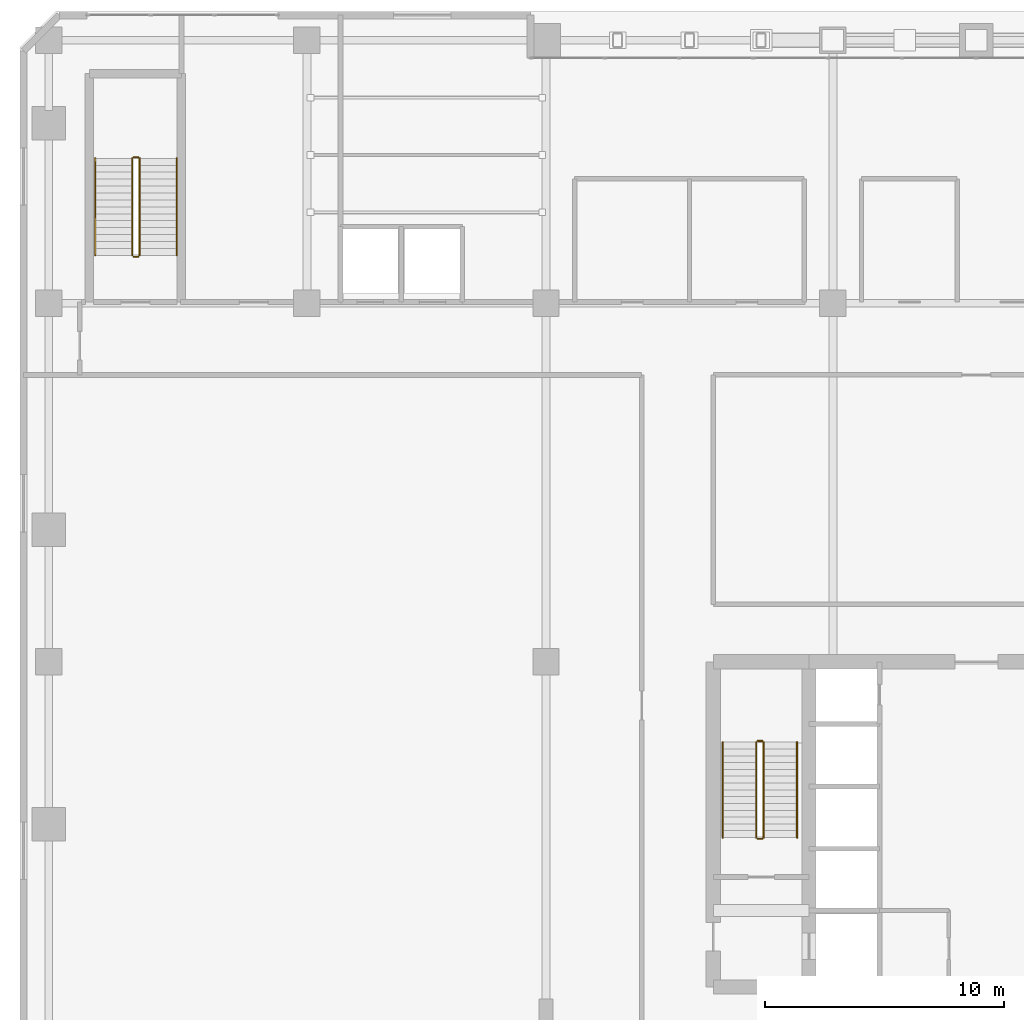
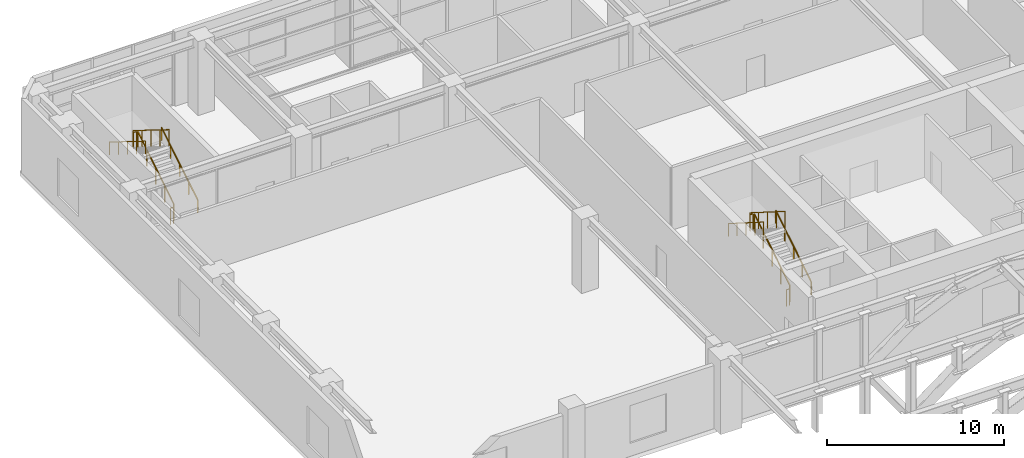
# One storey, part 30 of 32: 12 railings.
"""IFC4 building model written with IfcOpenShell, lengths in metres."""

from ifc_helpers import new_model, si_unit, direction, frame, origin, origin_2d, place, context, subcontext, project, spatial, rectangle, extrude, material, type_object, element, save


model = new_model("IFC4")

# Units and contexts
model_context = context("Model", 3, precision=1e-05, world=origin(), true_north=direction((0.0, 1.0)))
body_context = subcontext(model_context, "Body", "Model", "MODEL_VIEW")
ifc_project = project(units=[si_unit("LENGTHUNIT", "METRE"), si_unit("AREAUNIT", "SQUARE_METRE"), si_unit("VOLUMEUNIT", "CUBIC_METRE"), si_unit("PLANEANGLEUNIT", "RADIAN"), si_unit("MASSUNIT", "GRAM", prefix="KILO")], contexts=[model_context])

# Site, building, storey
site_placement = place(None, origin())
site = spatial("IfcSite", under=ifc_project, at=site_placement, CompositionType="ELEMENT")
building_placement = place(site_placement, origin())
building = spatial("IfcBuilding", under=site, at=building_placement, Name="Sarneth Arch Tower", CompositionType="ELEMENT")
storey_placement = place(building_placement, frame((0.0, 0.0, 11.39990234375)))
storey = spatial("IfcBuildingStorey", under=building, at=storey_placement, Name="L02", CompositionType="ELEMENT", Elevation=11.39990234375)

# Railings
ifc_material_1 = material(Name="Brushed Stainless Steel 304 tubular handrail", Category="steel")
railing_type_1 = type_object("IfcRailingType", Name="RAIL-HANDRAIL-900", PredefinedType="HANDRAIL", material=ifc_material_1)
railing_1_placement = place(storey_placement, frame((40.5, 41.449951171875, 0.18017578125)))
element("IfcRailing", 1, at=railing_1_placement, inside=storey, type_object=railing_type_1, Name="L02 ST-1 stair handrail 1", PredefinedType="HANDRAIL", context=body_context, shape_type="SweptSolid", body=[
    extrude(rectangle(XDim=0.048095703125, YDim=0.048095703125, at=origin_2d()), frame((0.0, 0.0, 0.8759765625), z_axis=(0.0, 0.845486444383, 0.533996884227), x_axis=(-1.0, 0.0, 0.0)), (0.0, 0.0, 1.0), 4.71923828125),
    extrude(rectangle(XDim=0.0419921875, YDim=0.0419921875, at=origin_2d()), origin(), (0.0, 0.0, 1.0), 0.851806640625),
    extrude(rectangle(XDim=0.0419921875, YDim=0.0419921875, at=origin_2d()), frame((0.0, 0.99755859375, 0.6298828125)), (0.0, 0.0, 1.0), 0.851806640625),
    extrude(rectangle(XDim=0.0419921875, YDim=0.0419921875, at=origin_2d()), frame((0.0, 1.9951171875, 1.260009765625)), (0.0, 0.0, 1.0), 0.851806640625),
    extrude(rectangle(XDim=0.0419921875, YDim=0.0419921875, at=origin_2d()), frame((0.0, 2.992431640625, 1.89013671875)), (0.0, 0.0, 1.0), 0.851806640625),
    extrude(rectangle(XDim=0.0419921875, YDim=0.0419921875, at=origin_2d()), frame((0.0, 3.989990234375, 2.52001953125)), (0.0, 0.0, 1.0), 0.851806640625),
])
railing_2_placement = place(storey_placement, frame((37.39990234375, 45.43994140625, 2.880126953125)))
element("IfcRailing", 2, at=railing_2_placement, inside=storey, type_object=railing_type_1, Name="L02 ST-1 stair handrail 2", PredefinedType="HANDRAIL", context=body_context, shape_type="SweptSolid", body=[
    extrude(rectangle(XDim=0.048095703125, YDim=0.048095703125, at=origin_2d()), frame((0.0, 0.0, 0.8759765625), z_axis=(0.0, -0.845486444383, 0.533996884227), x_axis=(1.0, 0.0, 0.0)), (0.0, 0.0, 1.0), 4.71923828125),
    extrude(rectangle(XDim=0.0419921875, YDim=0.0419921875, at=origin_2d()), origin(), (0.0, 0.0, 1.0), 0.851806640625),
    extrude(rectangle(XDim=0.0419921875, YDim=0.0419921875, at=origin_2d()), frame((0.0, -0.99755859375, 0.6298828125)), (0.0, 0.0, 1.0), 0.851806640625),
    extrude(rectangle(XDim=0.0419921875, YDim=0.0419921875, at=origin_2d()), frame((0.0, -1.9951171875, 1.260009765625)), (0.0, 0.0, 1.0), 0.851806640625),
    extrude(rectangle(XDim=0.0419921875, YDim=0.0419921875, at=origin_2d()), frame((0.0, -2.992431640625, 1.89013671875)), (0.0, 0.0, 1.0), 0.851806640625),
    extrude(rectangle(XDim=0.0419921875, YDim=0.0419921875, at=origin_2d()), frame((0.0, -3.989990234375, 2.52001953125)), (0.0, 0.0, 1.0), 0.851806640625),
])
railing_3_placement = place(storey_placement, frame((14.550048828125, 65.800048828125, 0.18017578125)))
element("IfcRailing", 3, at=railing_3_placement, inside=storey, type_object=railing_type_1, Name="L02 ST-P1 stair handrail 1", PredefinedType="HANDRAIL", context=body_context, shape_type="SweptSolid", body=[
    extrude(rectangle(XDim=0.048095703125, YDim=0.048095703125, at=origin_2d()), frame((0.0, 0.0, 0.8759765625), z_axis=(0.0, 0.849641744969, 0.527360318194), x_axis=(-1.0, 0.0, 0.0)), (0.0, 0.0, 1.0), 4.778564453125),
    extrude(rectangle(XDim=0.0419921875, YDim=0.0419921875, at=origin_2d()), origin(), (0.0, 0.0, 1.0), 0.851806640625),
    extrude(rectangle(XDim=0.0419921875, YDim=0.0419921875, at=origin_2d()), frame((0.0, 1.01513671875, 0.6298828125)), (0.0, 0.0, 1.0), 0.851806640625),
    extrude(rectangle(XDim=0.0419921875, YDim=0.0419921875, at=origin_2d()), frame((0.0, 2.030029296875, 1.260009765625)), (0.0, 0.0, 1.0), 0.851806640625),
    extrude(rectangle(XDim=0.0419921875, YDim=0.0419921875, at=origin_2d()), frame((0.0, 3.044921875, 1.89013671875)), (0.0, 0.0, 1.0), 0.851806640625),
    extrude(rectangle(XDim=0.0419921875, YDim=0.0419921875, at=origin_2d()), frame((0.0, 4.06005859375, 2.52001953125)), (0.0, 0.0, 1.0), 0.851806640625),
])
railing_4_placement = place(storey_placement, frame((11.14990234375, 69.860107421875, 2.880126953125)))
element("IfcRailing", 4, at=railing_4_placement, inside=storey, type_object=railing_type_1, Name="L02 ST-P1 stair handrail 2", PredefinedType="HANDRAIL", context=body_context, shape_type="SweptSolid", body=[
    extrude(rectangle(XDim=0.048095703125, YDim=0.048095703125, at=origin_2d()), frame((0.0, 0.0, 0.8759765625), z_axis=(0.0, -0.849641744969, 0.527360318194), x_axis=(1.0, 0.0, 0.0)), (0.0, 0.0, 1.0), 4.778564453125),
    extrude(rectangle(XDim=0.0419921875, YDim=0.0419921875, at=origin_2d()), origin(), (0.0, 0.0, 1.0), 0.851806640625),
    extrude(rectangle(XDim=0.0419921875, YDim=0.0419921875, at=origin_2d()), frame((0.0, -1.01513671875, 0.6298828125)), (0.0, 0.0, 1.0), 0.851806640625),
    extrude(rectangle(XDim=0.0419921875, YDim=0.0419921875, at=origin_2d()), frame((0.0, -2.030029296875, 1.260009765625)), (0.0, 0.0, 1.0), 0.851806640625),
    extrude(rectangle(XDim=0.0419921875, YDim=0.0419921875, at=origin_2d()), frame((0.0, -3.044921875, 1.89013671875)), (0.0, 0.0, 1.0), 0.851806640625),
    extrude(rectangle(XDim=0.0419921875, YDim=0.0419921875, at=origin_2d()), frame((0.0, -4.06005859375, 2.52001953125)), (0.0, 0.0, 1.0), 0.851806640625),
])
ifc_material_2 = material(Name="Painted Steel S275 stair well guard", Category="steel")
railing_type_2 = type_object("IfcRailingType", Name="RAIL-STAIR-GUARD", PredefinedType="GUARDRAIL", material=ifc_material_2)
railing_5_placement = place(storey_placement, frame((39.10009765625, 41.449951171875, 0.18017578125)))
element("IfcRailing", 5, at=railing_5_placement, inside=storey, type_object=railing_type_2, Name="L02 ST-1 stair guard 1", PredefinedType="GUARDRAIL", context=body_context, shape_type="SweptSolid", body=[
    extrude(rectangle(XDim=0.048095703125, YDim=0.048095703125, at=origin_2d()), frame((0.0, 0.0, 1.1259765625), z_axis=(0.0, 0.845486444383, 0.533996884227), x_axis=(-1.0, 0.0, 0.0)), (0.0, 0.0, 1.0), 4.71923828125),
    extrude(rectangle(XDim=0.0419921875, YDim=0.0419921875, at=origin_2d()), origin(), (0.0, 0.0, 1.0), 1.101806640625),
    extrude(rectangle(XDim=0.0419921875, YDim=0.0419921875, at=origin_2d()), frame((0.0, 0.99755859375, 0.6298828125)), (0.0, 0.0, 1.0), 1.101806640625),
    extrude(rectangle(XDim=0.0419921875, YDim=0.0419921875, at=origin_2d()), frame((0.0, 1.9951171875, 1.260009765625)), (0.0, 0.0, 1.0), 1.101806640625),
    extrude(rectangle(XDim=0.0419921875, YDim=0.0419921875, at=origin_2d()), frame((0.0, 2.992431640625, 1.89013671875)), (0.0, 0.0, 1.0), 1.101806640625),
    extrude(rectangle(XDim=0.0419921875, YDim=0.0419921875, at=origin_2d()), frame((0.0, 3.989990234375, 2.52001953125)), (0.0, 0.0, 1.0), 1.101806640625),
])
railing_6_placement = place(storey_placement, frame((39.050048828125, 45.489990234375, 2.7001953125)))
element("IfcRailing", 6, at=railing_6_placement, inside=storey, type_object=railing_type_2, Name="L02 ST-1 stair guard 2", PredefinedType="GUARDRAIL", context=body_context, shape_type="SweptSolid", body=[
    extrude(rectangle(XDim=0.048095703125, YDim=0.048095703125, at=origin_2d()), frame((0.0, 0.0, 1.1259765625), z_axis=(-1.0, 0.0, 0.0), x_axis=(0.0, -1.0, 0.0)), (0.0, 0.0, 1.0), 0.199951171875),
    extrude(rectangle(XDim=0.0419921875, YDim=0.0419921875, at=origin_2d()), origin(), (0.0, 0.0, 1.0), 1.101806640625),
    extrude(rectangle(XDim=0.0419921875, YDim=0.0419921875, at=origin_2d()), frame((-0.199951171875, 0.0, 0.0)), (0.0, 0.0, 1.0), 1.101806640625),
])
railing_7_placement = place(storey_placement, frame((38.800048828125, 45.43994140625, 2.880126953125)))
element("IfcRailing", 7, at=railing_7_placement, inside=storey, type_object=railing_type_2, Name="L02 ST-1 stair guard 3", PredefinedType="GUARDRAIL", context=body_context, shape_type="SweptSolid", body=[
    extrude(rectangle(XDim=0.048095703125, YDim=0.048095703125, at=origin_2d()), frame((0.0, 0.0, 1.1259765625), z_axis=(0.0, -0.845486444383, 0.533996884227), x_axis=(1.0, 0.0, 0.0)), (0.0, 0.0, 1.0), 4.71923828125),
    extrude(rectangle(XDim=0.0419921875, YDim=0.0419921875, at=origin_2d()), origin(), (0.0, 0.0, 1.0), 1.101806640625),
    extrude(rectangle(XDim=0.0419921875, YDim=0.0419921875, at=origin_2d()), frame((0.0, -0.99755859375, 0.6298828125)), (0.0, 0.0, 1.0), 1.101806640625),
    extrude(rectangle(XDim=0.0419921875, YDim=0.0419921875, at=origin_2d()), frame((0.0, -1.9951171875, 1.260009765625)), (0.0, 0.0, 1.0), 1.101806640625),
    extrude(rectangle(XDim=0.0419921875, YDim=0.0419921875, at=origin_2d()), frame((0.0, -2.992431640625, 1.89013671875)), (0.0, 0.0, 1.0), 1.101806640625),
    extrude(rectangle(XDim=0.0419921875, YDim=0.0419921875, at=origin_2d()), frame((0.0, -3.989990234375, 2.52001953125)), (0.0, 0.0, 1.0), 1.101806640625),
])
railing_8_placement = place(storey_placement, frame((39.050048828125, 41.39990234375, 0.0)))
element("IfcRailing", 8, at=railing_8_placement, inside=storey, type_object=railing_type_2, Name="L02 ST-1 stair guard 4", PredefinedType="GUARDRAIL", context=body_context, shape_type="SweptSolid", body=[
    extrude(rectangle(XDim=0.048095703125, YDim=0.048095703125, at=origin_2d()), frame((0.0, 0.0, 1.1259765625), z_axis=(-1.0, 0.0, 0.0), x_axis=(0.0, -1.0, 0.0)), (0.0, 0.0, 1.0), 0.199951171875),
    extrude(rectangle(XDim=0.0419921875, YDim=0.0419921875, at=origin_2d()), origin(), (0.0, 0.0, 1.0), 1.101806640625),
    extrude(rectangle(XDim=0.0419921875, YDim=0.0419921875, at=origin_2d()), frame((-0.199951171875, 0.0, 0.0)), (0.0, 0.0, 1.0), 1.101806640625),
])
railing_9_placement = place(storey_placement, frame((13.0, 65.800048828125, 0.18017578125)))
element("IfcRailing", 9, at=railing_9_placement, inside=storey, type_object=railing_type_2, Name="L02 ST-P1 stair guard 1", PredefinedType="GUARDRAIL", context=body_context, shape_type="SweptSolid", body=[
    extrude(rectangle(XDim=0.048095703125, YDim=0.048095703125, at=origin_2d()), frame((0.0, 0.0, 1.1259765625), z_axis=(0.0, 0.849641744969, 0.527360318194), x_axis=(-1.0, 0.0, 0.0)), (0.0, 0.0, 1.0), 4.778564453125),
    extrude(rectangle(XDim=0.0419921875, YDim=0.0419921875, at=origin_2d()), origin(), (0.0, 0.0, 1.0), 1.101806640625),
    extrude(rectangle(XDim=0.0419921875, YDim=0.0419921875, at=origin_2d()), frame((0.0, 1.01513671875, 0.6298828125)), (0.0, 0.0, 1.0), 1.101806640625),
    extrude(rectangle(XDim=0.0419921875, YDim=0.0419921875, at=origin_2d()), frame((0.0, 2.030029296875, 1.260009765625)), (0.0, 0.0, 1.0), 1.101806640625),
    extrude(rectangle(XDim=0.0419921875, YDim=0.0419921875, at=origin_2d()), frame((0.0, 3.044921875, 1.89013671875)), (0.0, 0.0, 1.0), 1.101806640625),
    extrude(rectangle(XDim=0.0419921875, YDim=0.0419921875, at=origin_2d()), frame((0.0, 4.06005859375, 2.52001953125)), (0.0, 0.0, 1.0), 1.101806640625),
])
railing_10_placement = place(storey_placement, frame((12.949951171875, 69.909912109375, 2.7001953125)))
element("IfcRailing", 10, at=railing_10_placement, inside=storey, type_object=railing_type_2, Name="L02 ST-P1 stair guard 2", PredefinedType="GUARDRAIL", context=body_context, shape_type="SweptSolid", body=[
    extrude(rectangle(XDim=0.048095703125, YDim=0.048095703125, at=origin_2d()), frame((0.0, 0.0, 1.1259765625), z_axis=(-1.0, 0.0, 0.0), x_axis=(0.0, -1.0, 0.0)), (0.0, 0.0, 1.0), 0.199951171875),
    extrude(rectangle(XDim=0.0419921875, YDim=0.0419921875, at=origin_2d()), origin(), (0.0, 0.0, 1.0), 1.101806640625),
    extrude(rectangle(XDim=0.0419921875, YDim=0.0419921875, at=origin_2d()), frame((-0.199951171875, 0.0, 0.0)), (0.0, 0.0, 1.0), 1.101806640625),
])
railing_11_placement = place(storey_placement, frame((12.699951171875, 69.860107421875, 2.880126953125)))
element("IfcRailing", 11, at=railing_11_placement, inside=storey, type_object=railing_type_2, Name="L02 ST-P1 stair guard 3", PredefinedType="GUARDRAIL", context=body_context, shape_type="SweptSolid", body=[
    extrude(rectangle(XDim=0.048095703125, YDim=0.048095703125, at=origin_2d()), frame((0.0, 0.0, 1.1259765625), z_axis=(0.0, -0.849641744969, 0.527360318194), x_axis=(1.0, 0.0, 0.0)), (0.0, 0.0, 1.0), 4.778564453125),
    extrude(rectangle(XDim=0.0419921875, YDim=0.0419921875, at=origin_2d()), origin(), (0.0, 0.0, 1.0), 1.101806640625),
    extrude(rectangle(XDim=0.0419921875, YDim=0.0419921875, at=origin_2d()), frame((0.0, -1.01513671875, 0.6298828125)), (0.0, 0.0, 1.0), 1.101806640625),
    extrude(rectangle(XDim=0.0419921875, YDim=0.0419921875, at=origin_2d()), frame((0.0, -2.030029296875, 1.260009765625)), (0.0, 0.0, 1.0), 1.101806640625),
    extrude(rectangle(XDim=0.0419921875, YDim=0.0419921875, at=origin_2d()), frame((0.0, -3.044921875, 1.89013671875)), (0.0, 0.0, 1.0), 1.101806640625),
    extrude(rectangle(XDim=0.0419921875, YDim=0.0419921875, at=origin_2d()), frame((0.0, -4.06005859375, 2.52001953125)), (0.0, 0.0, 1.0), 1.101806640625),
])
railing_12_placement = place(storey_placement, frame((12.949951171875, 65.75, 0.0)))
element("IfcRailing", 12, at=railing_12_placement, inside=storey, type_object=railing_type_2, Name="L02 ST-P1 stair guard 4", PredefinedType="GUARDRAIL", context=body_context, shape_type="SweptSolid", body=[
    extrude(rectangle(XDim=0.048095703125, YDim=0.048095703125, at=origin_2d()), frame((0.0, 0.0, 1.1259765625), z_axis=(-1.0, 0.0, 0.0), x_axis=(0.0, -1.0, 0.0)), (0.0, 0.0, 1.0), 0.199951171875),
    extrude(rectangle(XDim=0.0419921875, YDim=0.0419921875, at=origin_2d()), origin(), (0.0, 0.0, 1.0), 1.101806640625),
    extrude(rectangle(XDim=0.0419921875, YDim=0.0419921875, at=origin_2d()), frame((-0.199951171875, 0.0, 0.0)), (0.0, 0.0, 1.0), 1.101806640625),
])

save(model, "model.ifc")
